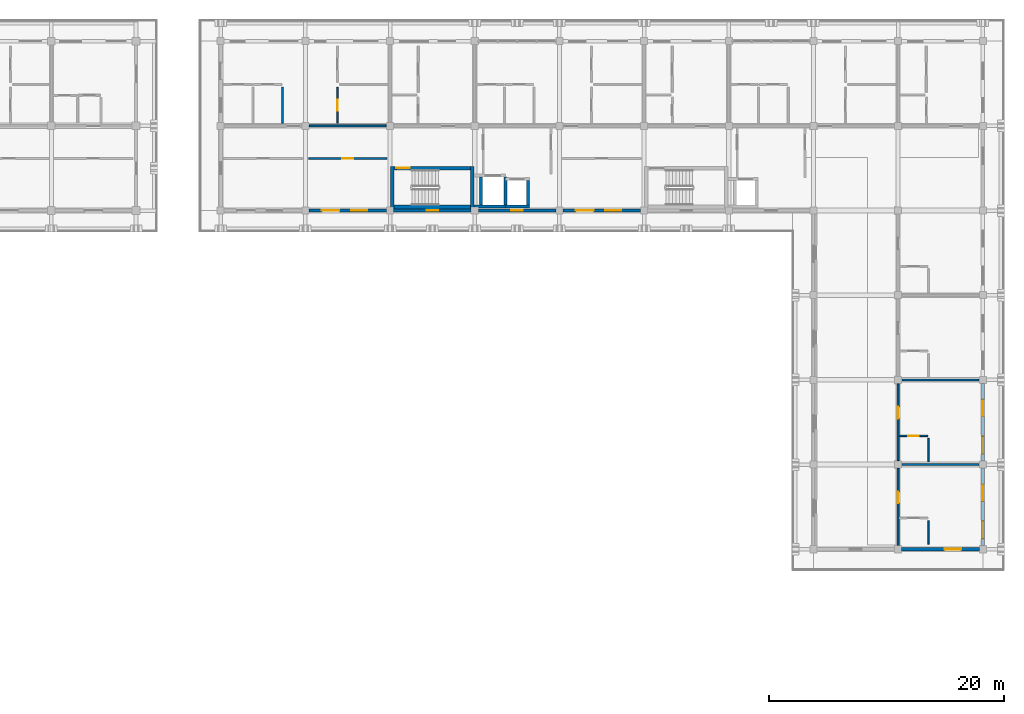
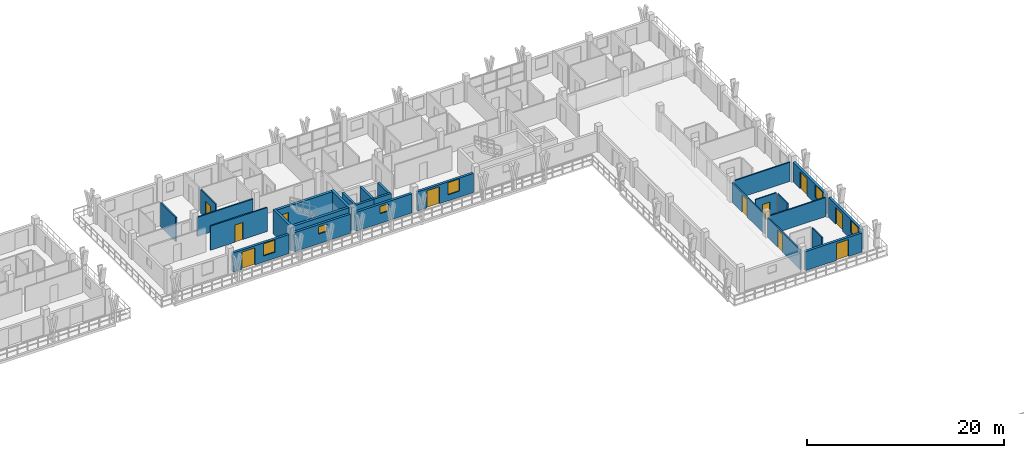
# One storey, part 56 of 76: 27 walls, 11 doors, 6 windows, 17 openings.
"""IFC4 building model written with IfcOpenShell, lengths in metres."""

from ifc_helpers import new_model, si_unit, direction, frame, frame_2d, origin, place, context, subcontext, project, spatial, rectangle, extrude, material, layer, layer_set, type_object, element, fill, save


model = new_model("IFC4")

# Units and contexts
model_context = context("Model", 3, precision=1e-05, world=origin(), true_north=direction((0.0, 1.0)))
body_context = subcontext(model_context, "Body", "Model", "MODEL_VIEW")
ifc_project = project(units=[si_unit("LENGTHUNIT", "METRE"), si_unit("AREAUNIT", "SQUARE_METRE"), si_unit("VOLUMEUNIT", "CUBIC_METRE"), si_unit("PLANEANGLEUNIT", "RADIAN"), si_unit("MASSUNIT", "GRAM", prefix="KILO")], contexts=[model_context])

# Site, building, storey
site_placement = place(None, origin())
site = spatial("IfcSite", under=ifc_project, at=site_placement, CompositionType="ELEMENT")
building_placement = place(site_placement, origin())
building = spatial("IfcBuilding", under=site, at=building_placement, Name="Suanplinth Sawtooth Commons", CompositionType="ELEMENT")
storey_placement = place(building_placement, frame((0.0, 0.0, 12.199951171875)))
storey = spatial("IfcBuildingStorey", under=building, at=storey_placement, Name="L03", CompositionType="ELEMENT", Elevation=12.199951171875)

# Wall
ifc_material_1 = material(Name="Concrete C40/50", Category="concrete")
ifc_layer_1 = layer(ifc_material_1, 0.300048828125, Name="Standard RC stair and lift core wall 300mm")
ifc_layer_set_1 = layer_set([ifc_layer_1], Name="Concrete C40/50")
wall_type_1 = type_object("IfcWallType", Name="W-CR02", PredefinedType="SHEAR", material=ifc_layer_set_1)
wall_1_placement = place(storey_placement, frame((137.14990234375, 108.300048828125, 0.0), z_axis=(0.0, 0.0, 1.0), x_axis=(1.0, 0.0, 0.0)))
element("IfcWall", 1, at=wall_1_placement, inside=storey, type_object=wall_type_1, Name="W-L03-C-B1-STS", PredefinedType="SHEAR", context=body_context, shape_type="SweptSolid", body=[
    extrude(rectangle(XDim=6.5, YDim=0.300048828125, at=frame_2d((3.25, 0.0))), origin(), (0.0, 0.0, 1.0), 2.97998046875),
])

# Wall, opening, door
wall_2_placement = place(storey_placement, frame((137.14990234375, 111.60009765625, 0.0), z_axis=(0.0, 0.0, 1.0), x_axis=(1.0, 0.0, 0.0)))
wall_2 = element("IfcWall", 2, at=wall_2_placement, inside=storey, type_object=wall_type_1, Name="W-L03-C-B1-STN", PredefinedType="SHEAR", context=body_context, shape_type="SweptSolid", body=[
    extrude(rectangle(XDim=6.5, YDim=0.300048828125, at=frame_2d((3.25, 0.0))), origin(), (0.0, 0.0, 1.0), 2.97998046875),
])
opening_1_placement = place(wall_2_placement, frame((0.179931640625, 0.0, 0.0)))
opening_1 = element("IfcOpeningElement", 3, at=opening_1_placement, cuts=wall_2, Name="Opening FD0174", PredefinedType="OPENING", context=body_context, shape_type="SweptSolid", body=[
    extrude(rectangle(XDim=1.14990234375, YDim=2.199951171875, at=frame_2d((0.574951171875, 1.10009765625))), frame((0.0, 0.1650390625, 0.0), z_axis=(0.0, -1.0, 0.0), x_axis=(1.0, 0.0, 0.0)), (0.0, 0.0, 1.0), 0.329833984375),
])
ifc_material_2 = material(Name="Teak hardwood fire-rated door assembly", Category="wood")
door_type_1 = type_object("IfcDoorType", Name="FD-01", OperationType="NOTDEFINED", PredefinedType="DOOR", material=ifc_material_2)
door_1_placement = place(opening_1_placement, frame((1.14990234375, 0.0, 0.0), z_axis=(0.0, 0.0, 1.0), x_axis=(-1.0, 0.0, 0.0)))
door_1 = element("IfcDoor", 4, at=door_1_placement, inside=storey, type_object=door_type_1, Name="Exit Stair Fire Door FD0174", OperationType="SINGLE_SWING_RIGHT", OverallHeight=2.199951171875, OverallWidth=1.14990234375, PredefinedType="DOOR", context=body_context, shape_type="SweptSolid", body=[
    extrude(rectangle(XDim=1.14990234375, YDim=2.199951171875, at=frame_2d((0.574951171875, 1.10009765625))), frame((0.0, 0.02490234375, 0.0), z_axis=(0.0, -1.0, 0.0), x_axis=(1.0, 0.0, 0.0)), (0.0, 0.0, 1.0), 0.050048828125),
])
fill(opening_1, door_1)

# Walls
for number, where, z_axis, x_axis, name in (
    (5, (137.0, 108.14990234375, 0.0), (0.0, 0.0, 1.0), (0.0, 1.0, 0.0), "W-L03-C-B1-STW"),
    (6, (143.800048828125, 108.14990234375, 0.0), (0.0, 0.0, 1.0), (0.0, 1.0, 0.0), "W-L03-C-B1-STE"),
):
    element("IfcWall", number, at=place(storey_placement, frame(where, z_axis=z_axis, x_axis=x_axis)), inside=storey, type_object=wall_type_1, Name=name, PredefinedType="SHEAR", context=body_context, shape_type="SweptSolid", body=[
        extrude(rectangle(XDim=3.60009765625, YDim=0.300048828125, at=frame_2d((1.800048828125, 0.0))), origin(), (0.0, 0.0, 1.0), 2.97998046875),
    ])

# Wall, openings, door, window
ifc_material_3 = material(Name="Precast concrete C40/50", Category="concrete")
ifc_layer_2 = layer(ifc_material_3, 0.280029296875, Name="Insulated precast architectural facade wall 280mm")
ifc_layer_set_2 = layer_set([ifc_layer_2], Name="Precast concrete C40/50")
wall_type_2 = type_object("IfcWallType", Name="W-EX01", PredefinedType="ELEMENTEDWALL", material=ifc_layer_set_2)
wall_3_placement = place(storey_placement, frame((129.89990234375, 108.0, 0.0), z_axis=(0.0, 0.0, 1.0), x_axis=(1.0, 0.0, 0.0)))
wall_3 = element("IfcWall", 7, at=wall_3_placement, inside=storey, type_object=wall_type_2, Name="Facade Wall W-L03-B-S-18-15", PredefinedType="ELEMENTEDWALL", context=body_context, shape_type="SweptSolid", body=[
    extrude(rectangle(XDim=6.60009765625, YDim=0.280029296875, at=frame_2d((3.300048828125, 0.0))), origin(), (0.0, 0.0, 1.0), 2.364990234375),
])
opening_2_placement = place(wall_3_placement, frame((1.10009765625, 0.0, 0.0)))
opening_2 = element("IfcOpeningElement", 8, at=opening_2_placement, cuts=wall_3, Name="Opening ED0248", PredefinedType="OPENING", context=body_context, shape_type="SweptSolid", body=[
    extrude(rectangle(XDim=1.5, YDim=2.1201171875, at=frame_2d((0.75, 1.06005859375))), frame((0.0, 0.15478515625, 0.0), z_axis=(0.0, -1.0, 0.0), x_axis=(1.0, 0.0, 0.0)), (0.0, 0.0, 1.0), 0.309814453125),
])
opening_3_placement = place(wall_3_placement, frame((3.60009765625, 0.0, 0.7548828125)))
opening_3 = element("IfcOpeningElement", 9, at=opening_3_placement, cuts=wall_3, Name="Opening W0354", PredefinedType="OPENING", context=body_context, shape_type="SweptSolid", body=[
    extrude(rectangle(XDim=1.35009765625, YDim=1.5, at=frame_2d((0.675048828125, 0.75))), frame((0.0, 0.15478515625, 0.0), z_axis=(0.0, -1.0, 0.0), x_axis=(1.0, 0.0, 0.0)), (0.0, 0.0, 1.0), 0.309814453125),
])
ifc_material_4 = material(Name="Anodized aluminium and low-E glass", Category="aluminium")
door_type_2 = type_object("IfcDoorType", Name="SD-03", OperationType="SLIDING_TO_LEFT", PredefinedType="DOOR", material=ifc_material_4)
door_2_placement = place(opening_2_placement, frame((1.5, 0.0, 0.0), z_axis=(0.0, 0.0, 1.0), x_axis=(-1.0, 0.0, 0.0)))
door_2 = element("IfcDoor", 10, at=door_2_placement, inside=storey, type_object=door_type_2, Name="Courtyard Balcony Door L03-B-18", OperationType="SLIDING_TO_LEFT", OverallHeight=2.1201171875, OverallWidth=1.5, PredefinedType="DOOR", context=body_context, shape_type="SweptSolid", body=[
    extrude(rectangle(XDim=1.5, YDim=2.1201171875, at=frame_2d((0.75, 1.06005859375))), frame((0.0, 0.02490234375, 0.0), z_axis=(0.0, -1.0, 0.0), x_axis=(1.0, 0.0, 0.0)), (0.0, 0.0, 1.0), 0.050048828125),
])
fill(opening_2, door_2)
ifc_material_5 = material(Name="Thermally broken aluminium and low-E double glazing", Category="aluminium")
window_type_1 = type_object("IfcWindowType", Name="WN-14", PartitioningType="SINGLE_PANEL", PredefinedType="WINDOW", material=ifc_material_5)
window_1_placement = place(opening_3_placement, origin())
window_1 = element("IfcWindow", 11, at=window_1_placement, inside=storey, type_object=window_type_1, Name="Courtyard Window L03-B-18", OverallHeight=1.5, OverallWidth=1.35009765625, PartitioningType="SINGLE_PANEL", PredefinedType="WINDOW", context=body_context, shape_type="SweptSolid", body=[
    extrude(rectangle(XDim=1.35009765625, YDim=1.5, at=frame_2d((0.675048828125, 0.75))), frame((0.0, 0.030029296875, 0.0), z_axis=(0.0, -1.0, 0.0), x_axis=(1.0, 0.0, 0.0)), (0.0, 0.0, 1.0), 0.06005859375),
])
fill(opening_3, window_1)

# Wall, opening, window
wall_4_placement = place(storey_placement, frame((137.10009765625, 108.0, 0.0), z_axis=(0.0, 0.0, 1.0), x_axis=(1.0, 0.0, 0.0)))
wall_4 = element("IfcWall", 12, at=wall_4_placement, inside=storey, type_object=wall_type_2, Name="Facade Wall W-L03-B-S-19-15", PredefinedType="ELEMENTEDWALL", context=body_context, shape_type="SweptSolid", body=[
    extrude(rectangle(XDim=6.599853515625, YDim=0.280029296875, at=frame_2d((3.2998046875, 0.0))), origin(), (0.0, 0.0, 1.0), 2.364990234375),
])
opening_4_placement = place(wall_4_placement, frame((2.800048828125, 0.0, 1.199951171875)))
opening_4 = element("IfcOpeningElement", 13, at=opening_4_placement, cuts=wall_4, Name="Opening W0356", PredefinedType="OPENING", context=body_context, shape_type="SweptSolid", body=[
    extrude(rectangle(XDim=1.0, YDim=0.89990234375, at=frame_2d((0.5, 0.449951171875))), frame((0.0, 0.15478515625, 0.0), z_axis=(0.0, -1.0, 0.0), x_axis=(1.0, 0.0, 0.0)), (0.0, 0.0, 1.0), 0.309814453125),
])
window_type_2 = type_object("IfcWindowType", Name="WN-12", PartitioningType="SINGLE_PANEL", PredefinedType="WINDOW", material=ifc_material_5)
window_2_placement = place(opening_4_placement, origin())
window_2 = element("IfcWindow", 14, at=window_2_placement, inside=storey, type_object=window_type_2, Name="Core Daylight Window L03-B-19-15", OverallHeight=0.89990234375, OverallWidth=1.0, PartitioningType="SINGLE_PANEL", PredefinedType="WINDOW", context=body_context, shape_type="SweptSolid", body=[
    extrude(rectangle(XDim=1.0, YDim=0.89990234375, at=frame_2d((0.5, 0.449951171875))), frame((0.0, 0.030029296875, 0.0), z_axis=(0.0, -1.0, 0.0), x_axis=(1.0, 0.0, 0.0)), (0.0, 0.0, 1.0), 0.06005859375),
])
fill(opening_4, window_2)

wall_5_placement = place(storey_placement, frame((144.300048828125, 108.0, 0.0), z_axis=(0.0, 0.0, 1.0), x_axis=(1.0, 0.0, 0.0)))
wall_5 = element("IfcWall", 15, at=wall_5_placement, inside=storey, type_object=wall_type_2, Name="Facade Wall W-L03-B-S-20-15", PredefinedType="ELEMENTEDWALL", context=body_context, shape_type="SweptSolid", body=[
    extrude(rectangle(XDim=6.599853515625, YDim=0.280029296875, at=frame_2d((3.2998046875, 0.0))), origin(), (0.0, 0.0, 1.0), 2.364990234375),
])
opening_5_placement = place(wall_5_placement, frame((2.800048828125, 0.0, 1.199951171875)))
opening_5 = element("IfcOpeningElement", 16, at=opening_5_placement, cuts=wall_5, Name="Opening W0358", PredefinedType="OPENING", context=body_context, shape_type="SweptSolid", body=[
    extrude(rectangle(XDim=1.0, YDim=0.89990234375, at=frame_2d((0.5, 0.449951171875))), frame((0.0, 0.15478515625, 0.0), z_axis=(0.0, -1.0, 0.0), x_axis=(1.0, 0.0, 0.0)), (0.0, 0.0, 1.0), 0.309814453125),
])
window_3_placement = place(opening_5_placement, origin())
window_3 = element("IfcWindow", 17, at=window_3_placement, inside=storey, type_object=window_type_2, Name="Core Daylight Window L03-B-20-15", OverallHeight=0.89990234375, OverallWidth=1.0, PartitioningType="SINGLE_PANEL", PredefinedType="WINDOW", context=body_context, shape_type="SweptSolid", body=[
    extrude(rectangle(XDim=1.0, YDim=0.89990234375, at=frame_2d((0.5, 0.449951171875))), frame((0.0, 0.030029296875, 0.0), z_axis=(0.0, -1.0, 0.0), x_axis=(1.0, 0.0, 0.0)), (0.0, 0.0, 1.0), 0.06005859375),
])
fill(opening_5, window_3)

# Wall, openings, door, window
wall_6_placement = place(storey_placement, frame((151.5, 108.0, 0.0), z_axis=(0.0, 0.0, 1.0), x_axis=(1.0, 0.0, 0.0)))
wall_6 = element("IfcWall", 18, at=wall_6_placement, inside=storey, type_object=wall_type_2, Name="Facade Wall W-L03-B-S-21-15", PredefinedType="ELEMENTEDWALL", context=body_context, shape_type="SweptSolid", body=[
    extrude(rectangle(XDim=6.60009765625, YDim=0.280029296875, at=frame_2d((3.300048828125, 0.0))), origin(), (0.0, 0.0, 1.0), 2.364990234375),
])
opening_6_placement = place(wall_6_placement, frame((1.10009765625, 0.0, 0.0)))
opening_6 = element("IfcOpeningElement", 19, at=opening_6_placement, cuts=wall_6, Name="Opening ED0251", PredefinedType="OPENING", context=body_context, shape_type="SweptSolid", body=[
    extrude(rectangle(XDim=1.5, YDim=2.1201171875, at=frame_2d((0.75, 1.06005859375))), frame((0.0, 0.15478515625, 0.0), z_axis=(0.0, -1.0, 0.0), x_axis=(1.0, 0.0, 0.0)), (0.0, 0.0, 1.0), 0.309814453125),
])
opening_7_placement = place(wall_6_placement, frame((3.60009765625, 0.0, 0.7548828125)))
opening_7 = element("IfcOpeningElement", 20, at=opening_7_placement, cuts=wall_6, Name="Opening W0359", PredefinedType="OPENING", context=body_context, shape_type="SweptSolid", body=[
    extrude(rectangle(XDim=1.35009765625, YDim=1.5, at=frame_2d((0.675048828125, 0.75))), frame((0.0, 0.15478515625, 0.0), z_axis=(0.0, -1.0, 0.0), x_axis=(1.0, 0.0, 0.0)), (0.0, 0.0, 1.0), 0.309814453125),
])
door_3_placement = place(opening_6_placement, frame((1.5, 0.0, 0.0), z_axis=(0.0, 0.0, 1.0), x_axis=(-1.0, 0.0, 0.0)))
door_3 = element("IfcDoor", 21, at=door_3_placement, inside=storey, type_object=door_type_2, Name="Courtyard Balcony Door L03-B-21", OperationType="SLIDING_TO_LEFT", OverallHeight=2.1201171875, OverallWidth=1.5, PredefinedType="DOOR", context=body_context, shape_type="SweptSolid", body=[
    extrude(rectangle(XDim=1.5, YDim=2.1201171875, at=frame_2d((0.75, 1.06005859375))), frame((0.0, 0.02490234375, 0.0), z_axis=(0.0, -1.0, 0.0), x_axis=(1.0, 0.0, 0.0)), (0.0, 0.0, 1.0), 0.050048828125),
])
fill(opening_6, door_3)
window_4_placement = place(opening_7_placement, origin())
window_4 = element("IfcWindow", 22, at=window_4_placement, inside=storey, type_object=window_type_1, Name="Courtyard Window L03-B-21", OverallHeight=1.5, OverallWidth=1.35009765625, PartitioningType="SINGLE_PANEL", PredefinedType="WINDOW", context=body_context, shape_type="SweptSolid", body=[
    extrude(rectangle(XDim=1.35009765625, YDim=1.5, at=frame_2d((0.675048828125, 0.75))), frame((0.0, 0.030029296875, 0.0), z_axis=(0.0, -1.0, 0.0), x_axis=(1.0, 0.0, 0.0)), (0.0, 0.0, 1.0), 0.06005859375),
])
fill(opening_7, window_4)

# Wall, opening, door
wall_7_placement = place(storey_placement, frame((180.300048828125, 79.199951171875, 0.0), z_axis=(0.0, 0.0, 1.0), x_axis=(1.0, 0.0, 0.0)))
wall_7 = element("IfcWall", 23, at=wall_7_placement, inside=storey, type_object=wall_type_2, Name="Facade Wall W-L03-B-S-25-11", PredefinedType="ELEMENTEDWALL", context=body_context, shape_type="SweptSolid", body=[
    extrude(rectangle(XDim=6.599853515625, YDim=0.280029296875, at=frame_2d((3.2998046875, 0.0))), origin(), (0.0, 0.0, 1.0), 2.364990234375),
])
opening_8_placement = place(wall_7_placement, frame((3.64990234375, 0.0, 0.0)))
opening_8 = element("IfcOpeningElement", 24, at=opening_8_placement, cuts=wall_7, Name="Opening ED0259", PredefinedType="OPENING", context=body_context, shape_type="SweptSolid", body=[
    extrude(rectangle(XDim=1.39990234375, YDim=2.10009765625, at=frame_2d((0.699951171875, 1.050048828125))), frame((0.0, 0.15478515625, 0.0), z_axis=(0.0, -1.0, 0.0), x_axis=(1.0, 0.0, 0.0)), (0.0, 0.0, 1.0), 0.309814453125),
])
door_type_3 = type_object("IfcDoorType", Name="SD-07", OperationType="SLIDING_TO_RIGHT", PredefinedType="DOOR", material=ifc_material_4)
door_4_placement = place(opening_8_placement, frame((1.39990234375, 0.0, 0.0), z_axis=(0.0, 0.0, 1.0), x_axis=(-1.0, 0.0, 0.0)))
door_4 = element("IfcDoor", 25, at=door_4_placement, inside=storey, type_object=door_type_3, Name="End Balcony Sliding Door L03-B-S-25-11", OperationType="SLIDING_TO_RIGHT", OverallHeight=2.10009765625, OverallWidth=1.39990234375, PredefinedType="DOOR", context=body_context, shape_type="SweptSolid", body=[
    extrude(rectangle(XDim=1.39990234375, YDim=2.10009765625, at=frame_2d((0.699951171875, 1.050048828125))), frame((0.0, 0.02490234375, 0.0), z_axis=(0.0, -1.0, 0.0), x_axis=(1.0, 0.0, 0.0)), (0.0, 0.0, 1.0), 0.050048828125),
])
fill(opening_8, door_4)

# Wall, openings, door, window
wall_8_placement = place(storey_placement, frame((187.199951171875, 79.5, 0.0), z_axis=(0.0, 0.0, 1.0), x_axis=(0.0, 1.0, 0.0)))
wall_8 = element("IfcWall", 26, at=wall_8_placement, inside=storey, type_object=wall_type_2, Name="Facade Wall W-L03-B-E-25-11", PredefinedType="ELEMENTEDWALL", context=body_context, shape_type="SweptSolid", body=[
    extrude(rectangle(XDim=6.60009765625, YDim=0.280029296875, at=frame_2d((3.300048828125, 0.0))), origin(), (0.0, 0.0, 1.0), 2.445068359375),
])
opening_9_placement = place(wall_8_placement, frame((3.800048828125, 0.0, 0.0)))
opening_9 = element("IfcOpeningElement", 27, at=opening_9_placement, cuts=wall_8, Name="Opening ED0260", PredefinedType="OPENING", context=body_context, shape_type="SweptSolid", body=[
    extrude(rectangle(XDim=1.39990234375, YDim=2.10009765625, at=frame_2d((0.699951171875, 1.050048828125))), frame((0.0, 0.15478515625, 0.0), z_axis=(0.0, -1.0, 0.0), x_axis=(1.0, 0.0, 0.0)), (0.0, 0.0, 1.0), 0.309814453125),
])
opening_10_placement = place(wall_8_placement, frame((0.60009765625, 0.0, 0.8349609375)))
opening_10 = element("IfcOpeningElement", 28, at=opening_10_placement, cuts=wall_8, Name="Opening W0366", PredefinedType="OPENING", context=body_context, shape_type="SweptSolid", body=[
    extrude(rectangle(XDim=1.5, YDim=1.5, at=frame_2d((0.75, 0.75))), frame((0.0, 0.15478515625, 0.0), z_axis=(0.0, -1.0, 0.0), x_axis=(1.0, 0.0, 0.0)), (0.0, 0.0, 1.0), 0.309814453125),
])
door_5_placement = place(opening_9_placement, frame((1.39990234375, 0.0, 0.0), z_axis=(0.0, 0.0, 1.0), x_axis=(-1.0, 0.0, 0.0)))
door_5 = element("IfcDoor", 29, at=door_5_placement, inside=storey, type_object=door_type_3, Name="Wing Balcony Sliding Door L03-B-11", OperationType="SLIDING_TO_RIGHT", OverallHeight=2.10009765625, OverallWidth=1.39990234375, PredefinedType="DOOR", context=body_context, shape_type="SweptSolid", body=[
    extrude(rectangle(XDim=1.39990234375, YDim=2.10009765625, at=frame_2d((0.699951171875, 1.050048828125))), frame((0.0, 0.02490234375, 0.0), z_axis=(0.0, -1.0, 0.0), x_axis=(1.0, 0.0, 0.0)), (0.0, 0.0, 1.0), 0.050048828125),
])
fill(opening_9, door_5)
window_type_3 = type_object("IfcWindowType", Name="WN-02", PartitioningType="DOUBLE_PANEL_VERTICAL", PredefinedType="WINDOW", material=ifc_material_5)
window_5_placement = place(opening_10_placement, origin())
window_5 = element("IfcWindow", 30, at=window_5_placement, inside=storey, type_object=window_type_3, Name="Wing Window L03-B-11", OverallHeight=1.5, OverallWidth=1.5, PartitioningType="DOUBLE_PANEL_VERTICAL", PredefinedType="WINDOW", context=body_context, shape_type="SweptSolid", body=[
    extrude(rectangle(XDim=1.5, YDim=1.5, at=frame_2d((0.75, 0.75))), frame((0.0, 0.030029296875, 0.0), z_axis=(0.0, -1.0, 0.0), x_axis=(1.0, 0.0, 0.0)), (0.0, 0.0, 1.0), 0.06005859375),
])
fill(opening_10, window_5)

wall_9_placement = place(storey_placement, frame((187.199951171875, 86.699951171875, 0.0), z_axis=(0.0, 0.0, 1.0), x_axis=(0.0, 1.0, 0.0)))
wall_9 = element("IfcWall", 31, at=wall_9_placement, inside=storey, type_object=wall_type_2, Name="Facade Wall W-L03-B-E-25-12", PredefinedType="ELEMENTEDWALL", context=body_context, shape_type="SweptSolid", body=[
    extrude(rectangle(XDim=6.60009765625, YDim=0.280029296875, at=frame_2d((3.300048828125, 0.0))), origin(), (0.0, 0.0, 1.0), 2.445068359375),
])
opening_11_placement = place(wall_9_placement, frame((3.800048828125, 0.0, 0.0)))
opening_11 = element("IfcOpeningElement", 32, at=opening_11_placement, cuts=wall_9, Name="Opening ED0261", PredefinedType="OPENING", context=body_context, shape_type="SweptSolid", body=[
    extrude(rectangle(XDim=1.39990234375, YDim=2.10009765625, at=frame_2d((0.699951171875, 1.050048828125))), frame((0.0, 0.15478515625, 0.0), z_axis=(0.0, -1.0, 0.0), x_axis=(1.0, 0.0, 0.0)), (0.0, 0.0, 1.0), 0.309814453125),
])
opening_12_placement = place(wall_9_placement, frame((0.60009765625, 0.0, 0.8349609375)))
opening_12 = element("IfcOpeningElement", 33, at=opening_12_placement, cuts=wall_9, Name="Opening W0367", PredefinedType="OPENING", context=body_context, shape_type="SweptSolid", body=[
    extrude(rectangle(XDim=1.5, YDim=1.5, at=frame_2d((0.75, 0.75))), frame((0.0, 0.15478515625, 0.0), z_axis=(0.0, -1.0, 0.0), x_axis=(1.0, 0.0, 0.0)), (0.0, 0.0, 1.0), 0.309814453125),
])
door_6_placement = place(opening_11_placement, frame((1.39990234375, 0.0, 0.0), z_axis=(0.0, 0.0, 1.0), x_axis=(-1.0, 0.0, 0.0)))
door_6 = element("IfcDoor", 34, at=door_6_placement, inside=storey, type_object=door_type_3, Name="Wing Balcony Sliding Door L03-B-12", OperationType="SLIDING_TO_RIGHT", OverallHeight=2.10009765625, OverallWidth=1.39990234375, PredefinedType="DOOR", context=body_context, shape_type="SweptSolid", body=[
    extrude(rectangle(XDim=1.39990234375, YDim=2.10009765625, at=frame_2d((0.699951171875, 1.050048828125))), frame((0.0, 0.02490234375, 0.0), z_axis=(0.0, -1.0, 0.0), x_axis=(1.0, 0.0, 0.0)), (0.0, 0.0, 1.0), 0.050048828125),
])
fill(opening_11, door_6)
window_6_placement = place(opening_12_placement, origin())
window_6 = element("IfcWindow", 35, at=window_6_placement, inside=storey, type_object=window_type_3, Name="Wing Window L03-B-12", OverallHeight=1.5, OverallWidth=1.5, PartitioningType="DOUBLE_PANEL_VERTICAL", PredefinedType="WINDOW", context=body_context, shape_type="SweptSolid", body=[
    extrude(rectangle(XDim=1.5, YDim=1.5, at=frame_2d((0.75, 0.75))), frame((0.0, 0.030029296875, 0.0), z_axis=(0.0, -1.0, 0.0), x_axis=(1.0, 0.0, 0.0)), (0.0, 0.0, 1.0), 0.06005859375),
])
fill(opening_12, window_6)

# Wall
ifc_layer_3 = layer(ifc_material_3, 0.159912109375, Name="Fire-rated corridor and lobby wall 160mm")
ifc_layer_set_3 = layer_set([ifc_layer_3], Name="Precast concrete C40/50")
wall_type_3 = type_object("IfcWallType", Name="W-FW01", PredefinedType="PARTITIONING", material=ifc_layer_set_3)
wall_10_placement = place(storey_placement, frame((129.929931640625, 115.199951171875, 0.0), z_axis=(0.0, 0.0, 1.0), x_axis=(1.0, 0.0, 0.0)))
element("IfcWall", 36, at=wall_10_placement, inside=storey, type_object=wall_type_3, Name="W-B-L03-U01-COR-S2", PredefinedType="PARTITIONING", context=body_context, shape_type="SweptSolid", body=[
    extrude(rectangle(XDim=6.5400390625, YDim=0.159912109375, at=frame_2d((3.27001953125, 0.0))), origin(), (0.0, 0.0, 1.0), 2.364990234375),
])

# Wall, opening, door
wall_11_placement = place(storey_placement, frame((129.8798828125, 112.419921875, 0.0), z_axis=(0.0, 0.0, 1.0), x_axis=(1.0, 0.0, 0.0)))
wall_11 = element("IfcWall", 37, at=wall_11_placement, inside=storey, type_object=wall_type_3, Name="W-B-L03-COURTROOM-31-COR", PredefinedType="PARTITIONING", context=body_context, shape_type="SweptSolid", body=[
    extrude(rectangle(XDim=6.64013671875, YDim=0.159912109375, at=frame_2d((3.320068359375, 0.0))), origin(), (0.0, 0.0, 1.0), 2.97998046875),
])
opening_13_placement = place(wall_11_placement, frame((2.85009765625, 0.0, 0.0)))
opening_13 = element("IfcOpeningElement", 38, at=opening_13_placement, cuts=wall_11, Name="Opening D0947", PredefinedType="OPENING", context=body_context, shape_type="SweptSolid", body=[
    extrude(rectangle(XDim=0.93994140625, YDim=2.1201171875, at=frame_2d((0.469970703125, 1.06005859375))), frame((0.0, 0.0947265625, 0.0), z_axis=(0.0, -1.0, 0.0), x_axis=(1.0, 0.0, 0.0)), (0.0, 0.0, 1.0), 0.189697265625),
])
ifc_material_6 = material(Name="Teak hardwood", Category="wood")
door_type_4 = type_object("IfcDoorType", Name="D-15", OperationType="NOTDEFINED", PredefinedType="DOOR", material=ifc_material_6)
door_7_placement = place(opening_13_placement, frame((0.93994140625, 0.0, 0.0), z_axis=(0.0, 0.0, 1.0), x_axis=(-1.0, 0.0, 0.0)))
door_7 = element("IfcDoor", 39, at=door_7_placement, inside=storey, type_object=door_type_4, Name="Study Studio Door D0947", OperationType="SINGLE_SWING_LEFT", OverallHeight=2.1201171875, OverallWidth=0.93994140625, PredefinedType="DOOR", context=body_context, shape_type="SweptSolid", body=[
    extrude(rectangle(XDim=0.93994140625, YDim=2.1201171875, at=frame_2d((0.469970703125, 1.06005859375))), frame((0.0, 0.02490234375, 0.0), z_axis=(0.0, -1.0, 0.0), x_axis=(1.0, 0.0, 0.0)), (0.0, 0.0, 1.0), 0.050048828125),
])
fill(opening_13, door_7)

wall_12_placement = place(storey_placement, frame((180.0, 79.530029296875, 0.0), z_axis=(0.0, 0.0, 1.0), x_axis=(0.0, 1.0, 0.0)))
wall_12 = element("IfcWall", 40, at=wall_12_placement, inside=storey, type_object=wall_type_3, Name="W-B-L03-L01-COR", PredefinedType="PARTITIONING", context=body_context, shape_type="SweptSolid", body=[
    extrude(rectangle(XDim=6.5400390625, YDim=0.159912109375, at=frame_2d((3.27001953125, 0.0))), origin(), (0.0, 0.0, 1.0), 2.4150390625),
])
opening_14_placement = place(wall_12_placement, frame((3.570068359375, 0.0, 0.0)))
opening_14 = element("IfcOpeningElement", 41, at=opening_14_placement, cuts=wall_12, Name="Opening FD0949", PredefinedType="OPENING", context=body_context, shape_type="SweptSolid", body=[
    extrude(rectangle(XDim=1.0, YDim=2.14990234375, at=frame_2d((0.5, 1.074951171875))), frame((0.0, 0.0947265625, 0.0), z_axis=(0.0, -1.0, 0.0), x_axis=(1.0, 0.0, 0.0)), (0.0, 0.0, 1.0), 0.189697265625),
])
door_type_5 = type_object("IfcDoorType", Name="FD-03", OperationType="NOTDEFINED", PredefinedType="DOOR", material=ifc_material_2)
door_8_placement = place(opening_14_placement, frame((1.0, 0.0, 0.0), z_axis=(0.0, 0.0, 1.0), x_axis=(-1.0, 0.0, 0.0)))
door_8 = element("IfcDoor", 42, at=door_8_placement, inside=storey, type_object=door_type_5, Name="Wing Unit Entrance Door FD0949", OperationType="SINGLE_SWING_LEFT", OverallHeight=2.14990234375, OverallWidth=1.0, PredefinedType="DOOR", context=body_context, shape_type="SweptSolid", body=[
    extrude(rectangle(XDim=1.0, YDim=2.14990234375, at=frame_2d((0.5, 1.074951171875))), frame((0.0, 0.02490234375, 0.0), z_axis=(0.0, -1.0, 0.0), x_axis=(1.0, 0.0, 0.0)), (0.0, 0.0, 1.0), 0.050048828125),
])
fill(opening_14, door_8)

wall_13_placement = place(storey_placement, frame((180.0, 86.72998046875, 0.0), z_axis=(0.0, 0.0, 1.0), x_axis=(0.0, 1.0, 0.0)))
wall_13 = element("IfcWall", 43, at=wall_13_placement, inside=storey, type_object=wall_type_3, Name="W-B-L03-L02-COR", PredefinedType="PARTITIONING", context=body_context, shape_type="SweptSolid", body=[
    extrude(rectangle(XDim=6.5400390625, YDim=0.159912109375, at=frame_2d((3.27001953125, 0.0))), origin(), (0.0, 0.0, 1.0), 2.4150390625),
])
opening_15_placement = place(wall_13_placement, frame((3.570068359375, 0.0, 0.0)))
opening_15 = element("IfcOpeningElement", 44, at=opening_15_placement, cuts=wall_13, Name="Opening FD0952", PredefinedType="OPENING", context=body_context, shape_type="SweptSolid", body=[
    extrude(rectangle(XDim=1.0, YDim=2.14990234375, at=frame_2d((0.5, 1.074951171875))), frame((0.0, 0.0947265625, 0.0), z_axis=(0.0, -1.0, 0.0), x_axis=(1.0, 0.0, 0.0)), (0.0, 0.0, 1.0), 0.189697265625),
])
door_9_placement = place(opening_15_placement, frame((1.0, 0.0, 0.0), z_axis=(0.0, 0.0, 1.0), x_axis=(-1.0, 0.0, 0.0)))
door_9 = element("IfcDoor", 45, at=door_9_placement, inside=storey, type_object=door_type_5, Name="Wing Unit Entrance Door FD0952", OperationType="SINGLE_SWING_RIGHT", OverallHeight=2.14990234375, OverallWidth=1.0, PredefinedType="DOOR", context=body_context, shape_type="SweptSolid", body=[
    extrude(rectangle(XDim=1.0, YDim=2.14990234375, at=frame_2d((0.5, 1.074951171875))), frame((0.0, 0.02490234375, 0.0), z_axis=(0.0, -1.0, 0.0), x_axis=(1.0, 0.0, 0.0)), (0.0, 0.0, 1.0), 0.050048828125),
])
fill(opening_15, door_9)

# Walls
ifc_layer_4 = layer(ifc_material_3, 0.14990234375, Name="Acoustic precast party demising wall 150mm")
ifc_layer_set_4 = layer_set([ifc_layer_4], Name="Precast concrete C40/50")
wall_type_4 = type_object("IfcWallType", Name="W-FW02", PredefinedType="PARTITIONING", material=ifc_layer_set_4)
for number, where, z_axis, x_axis, name in (
    (46, (180.330078125, 86.39990234375, 0.0), (0.0, 0.0, 1.0), (1.0, 0.0, 0.0), "W-B-L03-L01-PTY"),
    (47, (180.330078125, 93.60009765625, 0.0), (0.0, 0.0, 1.0), (1.0, 0.0, 0.0), "W-B-L03-L02-PTY"),
):
    element("IfcWall", number, at=place(storey_placement, frame(where, z_axis=z_axis, x_axis=x_axis)), inside=storey, type_object=wall_type_4, Name=name, PredefinedType="PARTITIONING", context=body_context, shape_type="SweptSolid", body=[
        extrude(rectangle(XDim=6.5400390625, YDim=0.14990234375, at=frame_2d((3.27001953125, 0.0))), origin(), (0.0, 0.0, 1.0), 2.364990234375),
    ])
ifc_material_7 = material(Name="Gypsum plasterboard on steel stud", Category="steel")
ifc_layer_5 = layer(ifc_material_7, 0.139892578125, Name="Fire-rated kitchen partition 140mm")
ifc_layer_set_5 = layer_set([ifc_layer_5], Name="Gypsum plasterboard on steel stud")
wall_type_5 = type_object("IfcWallType", Name="W-PT01", PredefinedType="PARTITIONING", material=ifc_layer_set_5)
wall_14_placement = place(storey_placement, frame((127.64990234375, 115.429931640625, 0.0), z_axis=(0.0, 0.0, 1.0), x_axis=(0.0, 1.0, 0.0)))
element("IfcWall", 48, at=wall_14_placement, inside=storey, type_object=wall_type_5, Name="W-B-L03-U01-KIT2", PredefinedType="PARTITIONING", context=body_context, shape_type="SweptSolid", body=[
    extrude(rectangle(XDim=3.06005859375, YDim=0.139892578125, at=frame_2d((1.530029296875, 0.0))), origin(), (0.0, 0.0, 1.0), 2.97998046875),
])
ifc_layer_6 = layer(ifc_material_7, 0.1298828125, Name="Moisture-resistant bathroom partition 130mm")
ifc_layer_set_6 = layer_set([ifc_layer_6], Name="Gypsum plasterboard on steel stud")
wall_type_6 = type_object("IfcWallType", Name="W-PT02", PredefinedType="PARTITIONING", material=ifc_layer_set_6)
wall_15_placement = place(storey_placement, frame((182.594970703125, 79.6298828125, 0.0), z_axis=(0.0, 0.0, 1.0), x_axis=(0.0, 1.0, 0.0)))
element("IfcWall", 49, at=wall_15_placement, inside=storey, type_object=wall_type_6, Name="W-B-L03-L01-BTH2", PredefinedType="PARTITIONING", context=body_context, shape_type="SweptSolid", body=[
    extrude(rectangle(XDim=2.0, YDim=0.1298828125, at=frame_2d((1.0, 0.0))), origin(), (0.0, 0.0, 1.0), 2.97998046875),
])

# Wall, opening, door
wall_16_placement = place(storey_placement, frame((180.080078125, 88.844970703125, 0.0), z_axis=(0.0, 0.0, 1.0), x_axis=(1.0, 0.0, 0.0)))
wall_16 = element("IfcWall", 50, at=wall_16_placement, inside=storey, type_object=wall_type_6, Name="W-B-L03-L02-BTH1", PredefinedType="PARTITIONING", context=body_context, shape_type="SweptSolid", body=[
    extrude(rectangle(XDim=2.449951171875, YDim=0.1298828125, at=frame_2d((1.22509765625, 0.0))), origin(), (0.0, 0.0, 1.0), 2.97998046875),
])
opening_16_placement = place(wall_16_placement, frame((0.77490234375, 0.0, 0.0)))
opening_16 = element("IfcOpeningElement", 51, at=opening_16_placement, cuts=wall_16, Name="Opening D0953", PredefinedType="OPENING", context=body_context, shape_type="SweptSolid", body=[
    extrude(rectangle(XDim=0.89990234375, YDim=2.10009765625, at=frame_2d((0.449951171875, 1.050048828125))), frame((0.0, 0.079833984375, 0.0), z_axis=(0.0, -1.0, 0.0), x_axis=(1.0, 0.0, 0.0)), (0.0, 0.0, 1.0), 0.15966796875),
])
door_type_6 = type_object("IfcDoorType", Name="D-01", OperationType="NOTDEFINED", PredefinedType="DOOR", material=ifc_material_6)
door_10_placement = place(opening_16_placement, frame((0.89990234375, 0.0, 0.0), z_axis=(0.0, 0.0, 1.0), x_axis=(-1.0, 0.0, 0.0)))
door_10 = element("IfcDoor", 52, at=door_10_placement, inside=storey, type_object=door_type_6, Name="Bathroom Door D0953", OperationType="SINGLE_SWING_LEFT", OverallHeight=2.10009765625, OverallWidth=0.89990234375, PredefinedType="DOOR", context=body_context, shape_type="SweptSolid", body=[
    extrude(rectangle(XDim=0.89990234375, YDim=2.10009765625, at=frame_2d((0.449951171875, 1.050048828125))), frame((0.0, 0.02490234375, 0.0), z_axis=(0.0, -1.0, 0.0), x_axis=(1.0, 0.0, 0.0)), (0.0, 0.0, 1.0), 0.050048828125),
])
fill(opening_16, door_10)

# Wall
wall_17_placement = place(storey_placement, frame((182.594970703125, 86.6298828125, 0.0), z_axis=(0.0, 0.0, 1.0), x_axis=(0.0, 1.0, 0.0)))
element("IfcWall", 53, at=wall_17_placement, inside=storey, type_object=wall_type_6, Name="W-B-L03-L02-BTH2", PredefinedType="PARTITIONING", context=body_context, shape_type="SweptSolid", body=[
    extrude(rectangle(XDim=2.0, YDim=0.1298828125, at=frame_2d((1.0, 0.0))), origin(), (0.0, 0.0, 1.0), 2.97998046875),
])

# Wall, opening, door
ifc_layer_7 = layer(ifc_material_7, 0.1201171875, Name="Acoustic bedroom partition 120mm")
ifc_layer_set_7 = layer_set([ifc_layer_7], Name="Gypsum plasterboard on steel stud")
wall_type_7 = type_object("IfcWallType", Name="W-PT03", PredefinedType="PARTITIONING", material=ifc_layer_set_7)
wall_18_placement = place(storey_placement, frame((132.320068359375, 115.43994140625, 0.0), z_axis=(0.0, 0.0, 1.0), x_axis=(0.0, 1.0, 0.0)))
wall_18 = element("IfcWall", 54, at=wall_18_placement, inside=storey, type_object=wall_type_7, Name="W-B-L03-U01-BED2", PredefinedType="PARTITIONING", context=body_context, shape_type="SweptSolid", body=[
    extrude(rectangle(XDim=3.0400390625, YDim=0.1201171875, at=frame_2d((1.52001953125, 0.0))), origin(), (0.0, 0.0, 1.0), 2.97998046875),
])
opening_17_placement = place(wall_18_placement, frame((1.0400390625, 0.0, 0.0)))
opening_17 = element("IfcOpeningElement", 55, at=opening_17_placement, cuts=wall_18, Name="Opening D0926", PredefinedType="OPENING", context=body_context, shape_type="SweptSolid", body=[
    extrude(rectangle(XDim=0.9599609375, YDim=2.14990234375, at=frame_2d((0.47998046875, 1.074951171875))), frame((0.0, 0.074951171875, 0.0), z_axis=(0.0, -1.0, 0.0), x_axis=(1.0, 0.0, 0.0)), (0.0, 0.0, 1.0), 0.14990234375),
])
door_type_7 = type_object("IfcDoorType", Name="D-13", OperationType="NOTDEFINED", PredefinedType="DOOR", material=ifc_material_6)
door_11_placement = place(opening_17_placement, frame((0.9599609375, 0.0, 0.0), z_axis=(0.0, 0.0, 1.0), x_axis=(-1.0, 0.0, 0.0)))
door_11 = element("IfcDoor", 56, at=door_11_placement, inside=storey, type_object=door_type_7, Name="Second Bedroom Door D0926", OperationType="SINGLE_SWING_RIGHT", OverallHeight=2.14990234375, OverallWidth=0.9599609375, PredefinedType="DOOR", context=body_context, shape_type="SweptSolid", body=[
    extrude(rectangle(XDim=0.9599609375, YDim=2.14990234375, at=frame_2d((0.47998046875, 1.074951171875))), frame((0.0, 0.02490234375, 0.0), z_axis=(0.0, -1.0, 0.0), x_axis=(1.0, 0.0, 0.0)), (0.0, 0.0, 1.0), 0.050048828125),
])
fill(opening_17, door_11)

# Walls
ifc_layer_8 = layer(ifc_material_3, 0.25, Name="Precast structural shear wall 250mm")
ifc_layer_set_8 = layer_set([ifc_layer_8], Name="Precast concrete C40/50")
wall_type_8 = type_object("IfcWallType", Name="W-SH01", PredefinedType="SHEAR", material=ifc_layer_set_8)
wall_19_placement = place(storey_placement, frame((143.949951171875, 108.324951171875, 0.0), z_axis=(0.0, 0.0, 1.0), x_axis=(1.0, 0.0, 0.0)))
element("IfcWall", 57, at=wall_19_placement, inside=storey, type_object=wall_type_8, Name="W-L03-FL2-S", PredefinedType="SHEAR", context=body_context, shape_type="SweptSolid", body=[
    extrude(rectangle(XDim=2.675048828125, YDim=0.25, at=frame_2d((1.33740234375, 0.0))), origin(), (0.0, 0.0, 1.0), 2.97998046875),
])
for number, where, z_axis, x_axis, name in (
    (58, (144.52490234375, 108.449951171875, 0.0), (0.0, 0.0, 1.0), (0.0, 1.0, 0.0), "W-L03-FL2-W"),
    (59, (146.625, 108.449951171875, 0.0), (0.0, 0.0, 1.0), (0.0, 1.0, 0.0), "W-L03-FL2-DIV"),
):
    element("IfcWall", number, at=place(storey_placement, frame(where, z_axis=z_axis, x_axis=x_axis)), inside=storey, type_object=wall_type_8, Name=name, PredefinedType="SHEAR", context=body_context, shape_type="SweptSolid", body=[
        extrude(rectangle(XDim=2.400146484375, YDim=0.25, at=frame_2d((1.2001953125, 0.0))), origin(), (0.0, 0.0, 1.0), 2.97998046875),
    ])
wall_20_placement = place(storey_placement, frame((146.625, 108.324951171875, 0.0), z_axis=(0.0, 0.0, 1.0), x_axis=(1.0, 0.0, 0.0)))
element("IfcWall", 60, at=wall_20_placement, inside=storey, type_object=wall_type_8, Name="W-L03-LF3-S", PredefinedType="SHEAR", context=body_context, shape_type="SweptSolid", body=[
    extrude(rectangle(XDim=2.02490234375, YDim=0.25, at=frame_2d((1.012451171875, 0.0))), origin(), (0.0, 0.0, 1.0), 2.97998046875),
])
wall_21_placement = place(storey_placement, frame((148.52490234375, 108.449951171875, 0.0), z_axis=(0.0, 0.0, 1.0), x_axis=(0.0, 1.0, 0.0)))
element("IfcWall", 61, at=wall_21_placement, inside=storey, type_object=wall_type_8, Name="W-L03-LF3-E", PredefinedType="SHEAR", context=body_context, shape_type="SweptSolid", body=[
    extrude(rectangle(XDim=2.10009765625, YDim=0.25, at=frame_2d((1.050048828125, 0.0))), origin(), (0.0, 0.0, 1.0), 2.97998046875),
])

save(model, "model.ifc")
